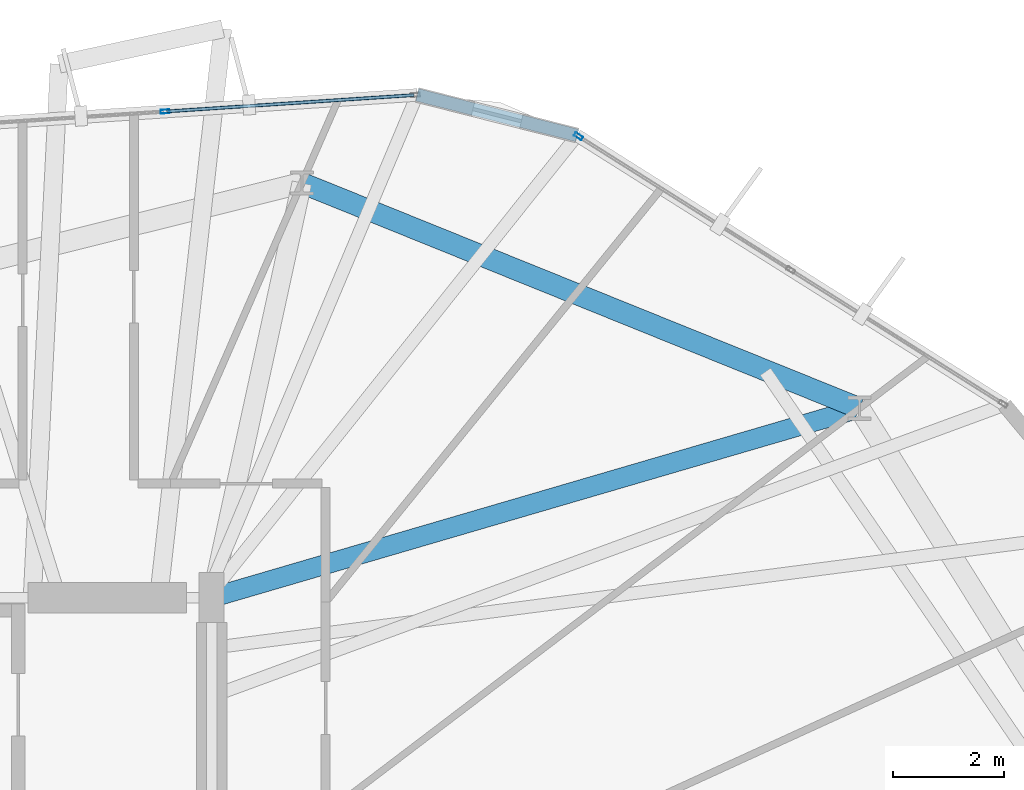
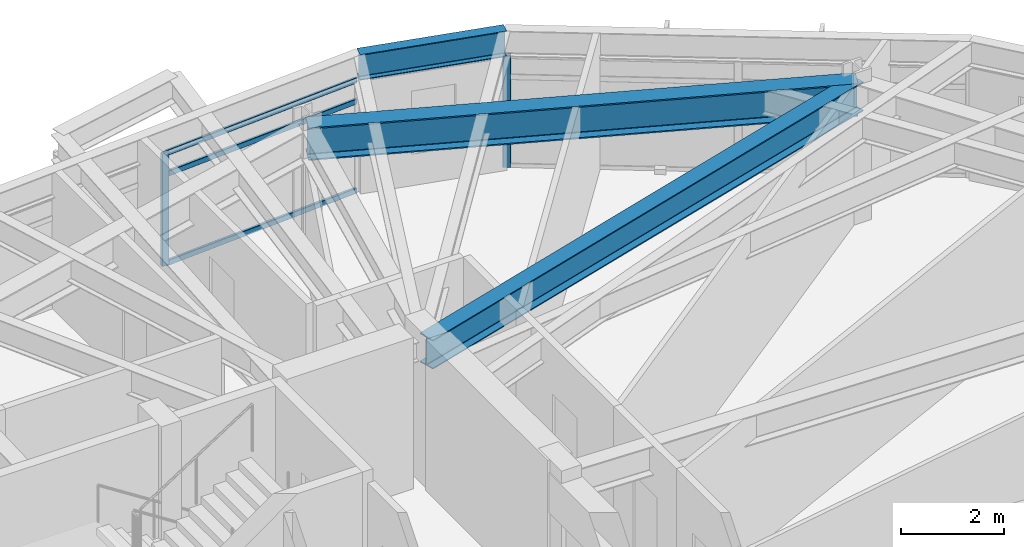
# One storey, part 14 of 24: 5 members, 3 beams, 2 elements without a shape of their own.
"""IFC4 building model written with IfcOpenShell, lengths in metres."""

from ifc_helpers import new_model, si_unit, direction, frame, origin, origin_2d, place, context, subcontext, project, spatial, hollow_rectangle, i_section, extrude, material, layer, layer_set, material_profile, profile_set, type_object, element, aggregate, save


model = new_model("IFC4")

# Units and contexts
model_context = context("Model", 3, precision=1e-05, world=origin(), true_north=direction((0.0, 1.0)))
body_context = subcontext(model_context, "Body", "Model", "MODEL_VIEW")
ifc_project = project(units=[si_unit("LENGTHUNIT", "METRE"), si_unit("AREAUNIT", "SQUARE_METRE"), si_unit("VOLUMEUNIT", "CUBIC_METRE"), si_unit("PLANEANGLEUNIT", "RADIAN"), si_unit("MASSUNIT", "GRAM", prefix="KILO")], contexts=[model_context])

# Site, building, storey
site_placement = place(None, origin())
site = spatial("IfcSite", under=ifc_project, at=site_placement, CompositionType="ELEMENT")
building_placement = place(site_placement, origin())
building = spatial("IfcBuilding", under=site, at=building_placement, Name="Soratama Intermodal Tower", CompositionType="ELEMENT")
storey_placement = place(building_placement, frame((0.0, 0.0, 178.60009765625)))
storey = spatial("IfcBuildingStorey", under=building, at=storey_placement, Name="L44", CompositionType="ELEMENT", Elevation=178.60009765625)

# Beams
ifc_material_1 = material(Name="Structural steel ASTM A992 Grade 50", Category="steel")
ifc_material_profile_1 = material_profile(ifc_material_1, i_section(OverallWidth=0.35498046875, OverallDepth=0.695068359375, WebThickness=0.015380859375, FlangeThickness=0.02490234375, FilletRadius=0.01611328125, at=origin_2d()), Name="W27X146")
ifc_profile_set_1 = profile_set([ifc_material_profile_1], Name="Structural steel ASTM A992 Grade 50")
beam_type_1 = type_object("IfcBeamType", Name="BM-RING-W27X146", PredefinedType="BEAM", material=ifc_profile_set_1)
beam_1_placement = place(storey_placement, frame((44.60009765625, 35.0, 2.952392578125), z_axis=(0.959813691047, 0.280637984738, 0.0), x_axis=(-0.280637984738, 0.959813691047, 0.0)))
element("IfcBeam", 1, at=beam_1_placement, inside=storey, type_object=beam_type_1, Name="BM-L44-RAD-02", PredefinedType="BEAM", context=body_context, shape_type="SweptSolid", body=[
    extrude(i_section(OverallWidth=0.35498046875, OverallDepth=0.695068359375, WebThickness=0.015380859375, FlangeThickness=0.02490234375, FilletRadius=0.01611328125, at=origin_2d()), origin(), (0.0, 0.0, 1.0), 12.13671875),
])
ifc_material_2 = material(Name="Structural steel ASTM A992 Grade 50", Category="steel")
ifc_material_profile_2 = material_profile(ifc_material_2, i_section(OverallWidth=0.382080078125, OverallDepth=0.779052734375, WebThickness=0.01806640625, FlangeThickness=0.030029296875, FilletRadius=0.01806640625, at=origin_2d()), Name="W30X191")
ifc_profile_set_2 = profile_set([ifc_material_profile_2], Name="Structural steel ASTM A992 Grade 50")
beam_type_2 = type_object("IfcBeamType", Name="BM-RING-W30X191", PredefinedType="BEAM", material=ifc_profile_set_2)
beam_2_placement = place(storey_placement, frame((56.2490234375, 38.406005859375, 2.910400390625), z_axis=(-0.927202491827, 0.374560461275, 0.0), x_axis=(-0.374560461275, -0.927202491827, 0.0)))
element("IfcBeam", 2, at=beam_2_placement, inside=storey, type_object=beam_type_2, Name="BM-L44-RING-02", PredefinedType="BEAM", context=body_context, shape_type="SweptSolid", body=[
    extrude(i_section(OverallWidth=0.382080078125, OverallDepth=0.779052734375, WebThickness=0.01806640625, FlangeThickness=0.030029296875, FilletRadius=0.01806640625, at=origin_2d()), origin(), (0.0, 0.0, 1.0), 10.8154296875),
])
ifc_material_3 = material(Name="Structural steel ASTM A992 Grade 50", Category="steel")
ifc_material_profile_3 = material_profile(ifc_material_3, i_section(OverallWidth=0.22900390625, OverallDepth=0.612060546875, WebThickness=0.011962890625, FlangeThickness=0.01953125, FilletRadius=0.012939453125, at=origin_2d()), Name="W24X84")
ifc_profile_set_3 = profile_set([ifc_material_profile_3], Name="Structural steel ASTM A992 Grade 50")
beam_type_3 = type_object("IfcBeamType", Name="BM-SPN-W24X84", PredefinedType="SPANDREL", material=ifc_profile_set_3)
beam_3_placement = place(storey_placement, frame((51.1708984375, 43.31298828125, 2.993896484375), z_axis=(-0.969343473983, 0.245709644594, 0.0), x_axis=(-0.245709644594, -0.969343473983, 0.0)))
element("IfcBeam", 3, at=beam_3_placement, inside=storey, type_object=beam_type_3, Name="BS-L44-CRN01", PredefinedType="SPANDREL", context=body_context, shape_type="SweptSolid", body=[
    extrude(i_section(OverallWidth=0.22900390625, OverallDepth=0.612060546875, WebThickness=0.011962890625, FlangeThickness=0.01953125, FilletRadius=0.012939453125, at=origin_2d()), origin(), (0.0, 0.0, 1.0), 2.967041015625),
])

# Curtain wall, member
ifc_material_4 = material(Name="Double-glazed aluminium curtain wall", Category="aluminium")
ifc_layer = layer(ifc_material_4, 0.159912109375)
ifc_layer_set = layer_set([ifc_layer], Name="Double-glazed aluminium curtain wall")
curtain_wall_type = type_object("IfcCurtainWallType", Name="CW-SYS-4", PredefinedType="NOTDEFINED", material=ifc_layer_set)
curtain_wall_1_placement = place(storey_placement, origin())
curtain_wall_1 = element("IfcCurtainWall", 4, at=curtain_wall_1_placement, inside=storey, type_object=curtain_wall_type, Name="L44 Faceted Curtain Wall F01", PredefinedType="NOTDEFINED")
ifc_material_5 = material(Name="Anodised aluminium AA 6063-T6", Category="aluminium")
ifc_material_profile_4 = material_profile(ifc_material_5, hollow_rectangle(XDim=0.070068359375, YDim=0.159912109375, WallThickness=0.0048828125, InnerFilletRadius=0.0048828125, OuterFilletRadius=0.010009765625, at=origin_2d()), Name="CWM160X70X5")
ifc_profile_set_4 = profile_set([ifc_material_profile_4], Name="Anodised aluminium AA 6063-T6")
member_type_1 = type_object("IfcMemberType", Name="MT-CWM-4", PredefinedType="MULLION", material=ifc_profile_set_4)
member_1_placement = place(storey_placement, frame((51.1962890625, 43.29736328125, 0.0), z_axis=(0.0, 0.0, 1.0), x_axis=(-0.53316755759, -0.846009666336, 0.0)))
member_1 = element("IfcMember", 5, at=member_1_placement, type_object=member_type_1, Name="CW-4 mullion 3", PredefinedType="MULLION", context=body_context, shape_type="SweptSolid", body=[
    extrude(hollow_rectangle(XDim=0.070068359375, YDim=0.159912109375, WallThickness=0.0048828125, InnerFilletRadius=0.0048828125, OuterFilletRadius=0.010009765625, at=origin_2d()), origin(), (0.0, 0.0, 1.0), 2.678955078125),
])
aggregate(curtain_wall_1, [member_1])

# Curtain wall, members
curtain_wall_2_placement = place(storey_placement, origin())
curtain_wall_2 = element("IfcCurtainWall", 6, at=curtain_wall_2_placement, inside=storey, type_object=curtain_wall_type, Name="L44 Faceted Curtain Wall F02", PredefinedType="NOTDEFINED")
member_2_placement = place(storey_placement, frame((43.76171875, 43.742431640625, 0.0), z_axis=(0.0, 0.0, 1.0), x_axis=(0.065918605192, -0.99782500344, 0.0)))
member_2 = element("IfcMember", 7, at=member_2_placement, type_object=member_type_1, Name="CW-4 mullion 2", PredefinedType="MULLION", context=body_context, shape_type="SweptSolid", body=[
    extrude(hollow_rectangle(XDim=0.070068359375, YDim=0.159912109375, WallThickness=0.0048828125, InnerFilletRadius=0.0048828125, OuterFilletRadius=0.010009765625, at=origin_2d()), origin(), (0.0, 0.0, 1.0), 2.678955078125),
])
ifc_material_6 = material(Name="Anodised aluminium AA 6063-T6", Category="aluminium")
ifc_material_profile_5 = material_profile(ifc_material_6, hollow_rectangle(XDim=0.06005859375, YDim=0.1298828125, WallThickness=0.0048828125, InnerFilletRadius=0.0048828125, OuterFilletRadius=0.010009765625, at=origin_2d()), Name="CWT130X60X5")
ifc_profile_set_5 = profile_set([ifc_material_profile_5], Name="Anodised aluminium AA 6063-T6")
member_type_2 = type_object("IfcMemberType", Name="TT-CWT-2", PredefinedType="USERDEFINED", material=ifc_profile_set_5)
member_3_placement = place(storey_placement, frame((48.2353515625, 44.0380859375, 0.02978515625), z_axis=(-0.99782283842, -0.065951369409, 0.0), x_axis=(0.065951369409, -0.99782283842, 0.0)))
member_3 = element("IfcMember", 8, at=member_3_placement, type_object=member_type_2, Name="CW-4 transom 1.1", ObjectType="TRANSOM", PredefinedType="USERDEFINED", context=body_context, shape_type="SweptSolid", body=[
    extrude(hollow_rectangle(XDim=0.06005859375, YDim=0.1298828125, WallThickness=0.0048828125, InnerFilletRadius=0.0048828125, OuterFilletRadius=0.010009765625, at=origin_2d()), origin(), (0.0, 0.0, 1.0), 4.453369140625),
])
member_4_placement = place(storey_placement, frame((48.2353515625, 44.0380859375, 2.14990234375), z_axis=(-0.99782283842, -0.065951369409, 0.0), x_axis=(0.065951369409, -0.99782283842, 0.0)))
member_4 = element("IfcMember", 9, at=member_4_placement, type_object=member_type_2, Name="CW-4 transom 1.2", ObjectType="TRANSOM", PredefinedType="USERDEFINED", context=body_context, shape_type="SweptSolid", body=[
    extrude(hollow_rectangle(XDim=0.06005859375, YDim=0.1298828125, WallThickness=0.0048828125, InnerFilletRadius=0.0048828125, OuterFilletRadius=0.010009765625, at=origin_2d()), origin(), (0.0, 0.0, 1.0), 4.453369140625),
])
member_5_placement = place(storey_placement, frame((48.2353515625, 44.0380859375, 2.64892578125), z_axis=(-0.99782283842, -0.065951369409, 0.0), x_axis=(0.065951369409, -0.99782283842, 0.0)))
member_5 = element("IfcMember", 10, at=member_5_placement, type_object=member_type_2, Name="CW-4 transom 1.3", ObjectType="TRANSOM", PredefinedType="USERDEFINED", context=body_context, shape_type="SweptSolid", body=[
    extrude(hollow_rectangle(XDim=0.06005859375, YDim=0.1298828125, WallThickness=0.0048828125, InnerFilletRadius=0.0048828125, OuterFilletRadius=0.010009765625, at=origin_2d()), origin(), (0.0, 0.0, 1.0), 4.453369140625),
])
aggregate(curtain_wall_2, [member_2, member_3, member_4, member_5])

save(model, "model.ifc")
